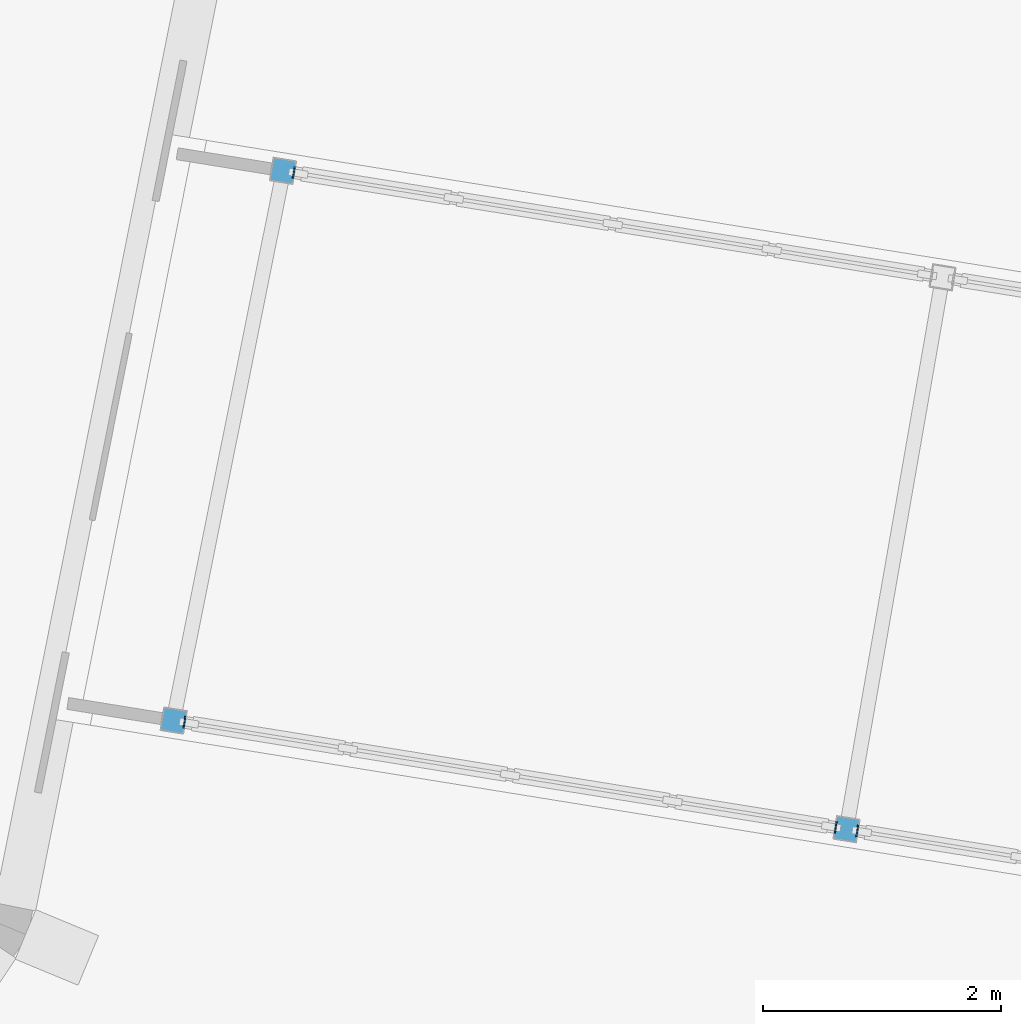
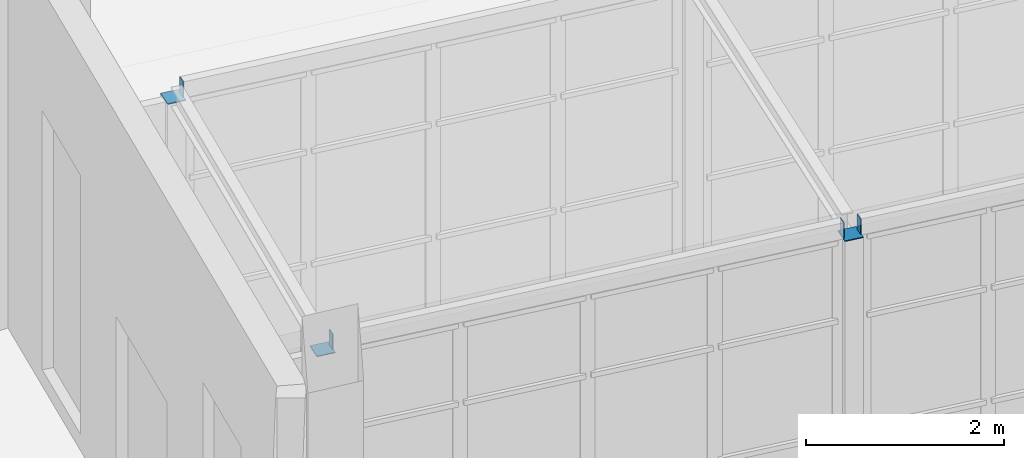
# One storey, part 200 of 226: 7 discrete accessories.
"""IFC4 building model written with IfcOpenShell, lengths in metres."""

from ifc_helpers import new_model, si_unit, direction, frame, origin, origin_2d, place, context, subcontext, project, spatial, rectangle, extrude, material, material_profile, profile_set, type_object, element, save


model = new_model("IFC4")

# Units and contexts
model_context = context("Model", 3, precision=1e-05, world=origin(), true_north=direction((0.0, 1.0)))
body_context = subcontext(model_context, "Body", "Model", "MODEL_VIEW")
ifc_project = project(units=[si_unit("LENGTHUNIT", "METRE"), si_unit("AREAUNIT", "SQUARE_METRE"), si_unit("VOLUMEUNIT", "CUBIC_METRE"), si_unit("PLANEANGLEUNIT", "RADIAN"), si_unit("MASSUNIT", "GRAM", prefix="KILO")], contexts=[model_context])

# Site, building, storey
site_placement = place(None, origin())
site = spatial("IfcSite", under=ifc_project, at=site_placement, CompositionType="ELEMENT")
building_placement = place(site_placement, origin())
building = spatial("IfcBuilding", under=site, at=building_placement, Name="Ceibo Conservatory and Research Tower", CompositionType="ELEMENT")
storey_placement = place(building_placement, origin())
storey = spatial("IfcBuildingStorey", under=building, at=storey_placement, Name="L00", CompositionType="ELEMENT", Elevation=0.0)

# Discrete accessories
ifc_material = material(Name="Steel S355J2", Category="steel")
ifc_material_profile_1 = material_profile(ifc_material, rectangle(XDim=0.10009765625, YDim=0.199951171875, at=origin_2d()), Name="End plate PL 200x100x8")
ifc_profile_set_1 = profile_set([ifc_material_profile_1], Name="Steel S355J2")
discrete_accessory_type_1 = type_object("IfcDiscreteAccessoryType", Name="End plate PL 200x100x8", PredefinedType="USERDEFINED", material=ifc_profile_set_1)
for number, where, z_axis, x_axis, name in (
    (1, (75.431884765625, 112.39794921875, 3.89990234375), (-0.988936352868, 0.14834045293, 0.0), (-0.14834045293, -0.988936352868, 0.0), "Gallery edge beam A-RT-EBN08 end plate"),
    (2, (75.250244140625, 112.42724609375, 3.89990234375), (-0.988936352868, 0.14834045293, 0.0), (-0.14834045293, -0.988936352868, 0.0), "Gallery edge beam A-RT-EBN09 end plate"),
    (3, (69.786865234375, 113.309326171875, 3.89990234375), (-0.988936352868, 0.14834045293, 0.0), (-0.14834045293, -0.988936352868, 0.0), "Gallery edge beam A-RT-EBN09 end plate"),
):
    element("IfcDiscreteAccessory", number, at=place(storey_placement, frame(where, z_axis=z_axis, x_axis=x_axis)), inside=storey, type_object=discrete_accessory_type_1, Name=name, ObjectType="End plate", PredefinedType="USERDEFINED", context=body_context, shape_type="SweptSolid", body=[
        extrude(rectangle(XDim=0.10009765625, YDim=0.199951171875, at=origin_2d()), origin(), (0.0, 0.0, 1.0), 0.009765625),
    ])
discrete_accessory_placement = place(storey_placement, frame((70.704345703125, 117.921875, 3.89990234375), z_axis=(-0.985030467156, 0.172380331752, 0.0), x_axis=(-0.172380331752, -0.985030467156, 0.0)))
element("IfcDiscreteAccessory", 4, at=discrete_accessory_placement, inside=storey, type_object=discrete_accessory_type_1, Name="Gallery edge beam A-RT-EBS09 end plate", ObjectType="End plate", PredefinedType="USERDEFINED", context=body_context, shape_type="SweptSolid", body=[
    extrude(rectangle(XDim=0.10009765625, YDim=0.199951171875, at=origin_2d()), origin(), (0.0, 0.0, 1.0), 0.010009765625),
])
ifc_material_profile_2 = material_profile(ifc_material, rectangle(XDim=0.199951171875, YDim=0.199951171875, at=origin_2d()), Name="End plate PL 200x200x10")
ifc_profile_set_2 = profile_set([ifc_material_profile_2], Name="Steel S355J2")
discrete_accessory_type_2 = type_object("IfcDiscreteAccessoryType", Name="End plate PL 200x200x10", PredefinedType="USERDEFINED", material=ifc_profile_set_2)
for number, where, z_axis, x_axis, name in (
    (5, (75.336181640625, 112.413330078125, 3.798095703125), (0.0, 0.0, 1.0), (-0.987215515464, 0.159391110254, 0.0), "Gallery column A-RT-CN08 end plate"),
    (6, (69.691162109375, 113.32470703125, 3.798095703125), (0.0, 0.0, 1.0), (-0.987215515464, 0.159391110254, 0.0), "Gallery column A-RT-CN09 end plate"),
    (7, (70.608642578125, 117.9375, 3.798095703125), (0.0, 0.0, 1.0), (-0.987215515464, 0.159391110254, 0.0), "Gallery column A-RT-CS09 end plate"),
):
    element("IfcDiscreteAccessory", number, at=place(storey_placement, frame(where, z_axis=z_axis, x_axis=x_axis)), inside=storey, type_object=discrete_accessory_type_2, Name=name, ObjectType="End plate", PredefinedType="USERDEFINED", context=body_context, shape_type="SweptSolid", body=[
        extrude(rectangle(XDim=0.199951171875, YDim=0.199951171875, at=origin_2d()), origin(), (0.0, 0.0, 1.0), 0.011962890625),
    ])

save(model, "model.ifc")
